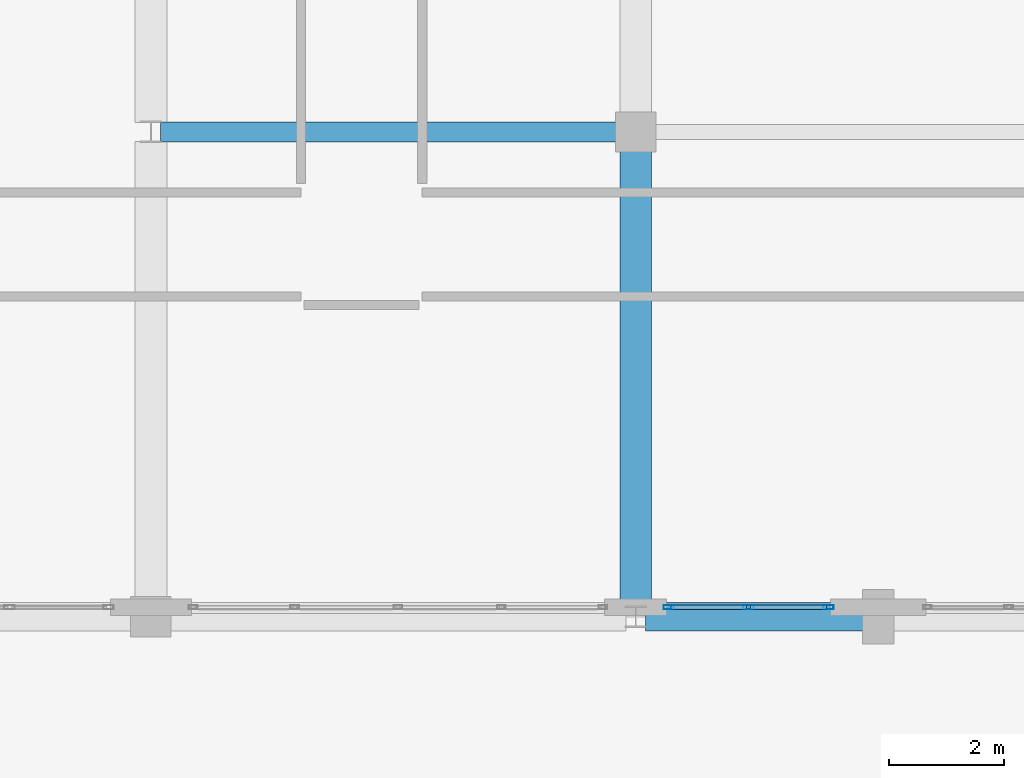
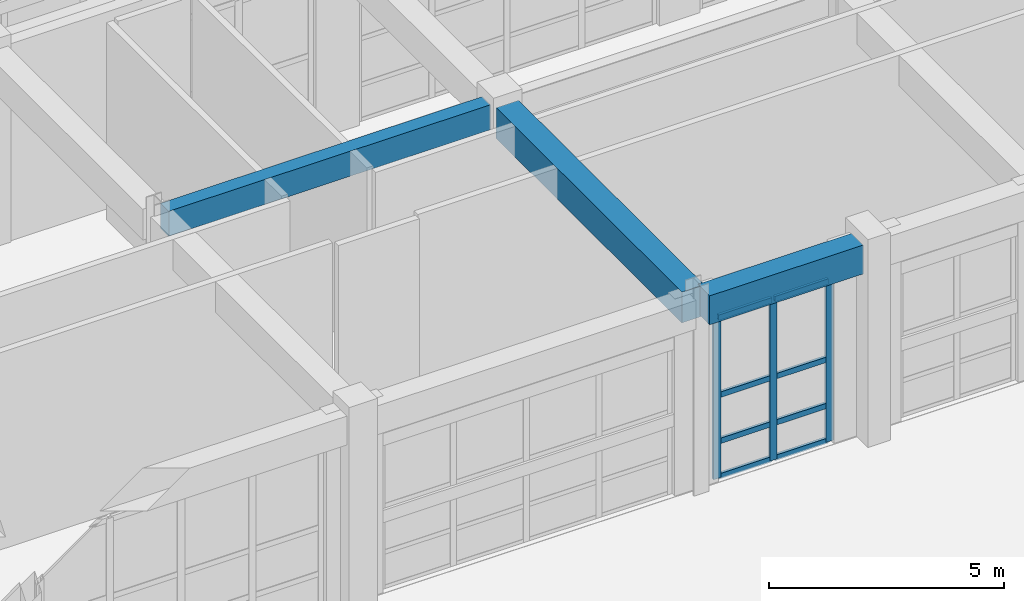
# One storey, part 67 of 148: 11 members, 3 beams, 1 element without a shape of its own.
"""IFC4 building model written with IfcOpenShell, lengths in metres."""

from ifc_helpers import new_model, si_unit, direction, frame, origin, origin_2d, place, context, subcontext, project, spatial, rectangle, hollow_rectangle, extrude, material, layer, layer_set, material_profile, profile_set, type_object, element, aggregate, save


model = new_model("IFC4")

# Units and contexts
model_context = context("Model", 3, precision=1e-05, world=origin(), true_north=direction((0.0, 1.0)))
body_context = subcontext(model_context, "Body", "Model", "MODEL_VIEW")
ifc_project = project(units=[si_unit("LENGTHUNIT", "METRE"), si_unit("AREAUNIT", "SQUARE_METRE"), si_unit("VOLUMEUNIT", "CUBIC_METRE"), si_unit("PLANEANGLEUNIT", "RADIAN"), si_unit("MASSUNIT", "GRAM", prefix="KILO")], contexts=[model_context])

# Site, building, storey
site_placement = place(None, origin())
site = spatial("IfcSite", under=ifc_project, at=site_placement, CompositionType="ELEMENT")
building_placement = place(site_placement, origin())
building = spatial("IfcBuilding", under=site, at=building_placement, Name="Quendrovan Civic Courthouse", CompositionType="ELEMENT")
storey_placement = place(building_placement, origin())
storey = spatial("IfcBuildingStorey", under=building, at=storey_placement, Name="L01", CompositionType="ELEMENT", Elevation=0.0)

# Beams
ifc_material_1 = material(Name="Concrete C40/50", Category="concrete")
ifc_material_profile_1 = material_profile(ifc_material_1, rectangle(XDim=0.35009765625, YDim=0.64990234375, at=origin_2d()), Name="RC-BM-350x650")
ifc_profile_set_1 = profile_set([ifc_material_profile_1], Name="Concrete C40/50")
beam_type_1 = type_object("IfcBeamType", Name="BM-RC650B", PredefinedType="BEAM", material=ifc_profile_set_1)
beam_1_placement = place(storey_placement, frame((84.1669921875, 73.199951171875, 4.794921875), z_axis=(1.0, 0.0, 0.0), x_axis=(0.0, 1.0, 0.0)))
element("IfcBeam", 1, at=beam_1_placement, inside=storey, type_object=beam_type_1, Name="L01 Girder X0305", PredefinedType="BEAM", context=body_context, shape_type="SweptSolid", body=[
    extrude(rectangle(XDim=0.35009765625, YDim=0.64990234375, at=origin_2d()), origin(), (0.0, 0.0, 1.0), 7.903076171875),
])
ifc_material_profile_2 = material_profile(ifc_material_1, rectangle(XDim=0.5, YDim=0.75, at=origin_2d()), Name="RC-BM-500x750")
ifc_profile_set_2 = profile_set([ifc_material_profile_2], Name="Concrete C40/50")
beam_type_2 = type_object("IfcBeamType", Name="BM-RC750", PredefinedType="SPANDREL", material=ifc_profile_set_2)
beam_2_placement = place(storey_placement, frame((92.56689453125, 64.800048828125, 4.7451171875), z_axis=(1.0, 0.0, 0.0), x_axis=(0.0, 1.0, 0.0)))
element("IfcBeam", 2, at=beam_2_placement, inside=storey, type_object=beam_type_2, Name="L01 Girder X0296", PredefinedType="SPANDREL", context=body_context, shape_type="SweptSolid", body=[
    extrude(rectangle(XDim=0.5, YDim=0.75, at=origin_2d()), origin(), (0.0, 0.0, 1.0), 3.778076171875),
])
ifc_material_profile_3 = material_profile(ifc_material_1, rectangle(XDim=0.550048828125, YDim=0.800048828125, at=origin_2d()), Name="RC-BM-550x800")
ifc_profile_set_3 = profile_set([ifc_material_profile_3], Name="Concrete C40/50")
beam_type_3 = type_object("IfcBeamType", Name="BM-RC800", PredefinedType="BEAM", material=ifc_profile_set_3)
beam_3_placement = place(storey_placement, frame((92.39990234375, 64.966064453125, 4.719970703125), z_axis=(0.0, 1.0, 0.0), x_axis=(-1.0, 0.0, 0.0)))
element("IfcBeam", 3, at=beam_3_placement, inside=storey, type_object=beam_type_3, Name="L01 Girder Y0443", PredefinedType="BEAM", context=body_context, shape_type="SweptSolid", body=[
    extrude(rectangle(XDim=0.550048828125, YDim=0.800048828125, at=origin_2d()), origin(), (0.0, 0.0, 1.0), 7.904052734375),
])

# Curtain wall, members
ifc_material_2 = material(Name="Bronze anodised aluminium and low-E glass", Category="aluminium")
ifc_layer = layer(ifc_material_2, 0.179931640625, Name="Bronze anodised aluminium and low-E glass")
ifc_layer_set = layer_set([ifc_layer], Name="Bronze anodised aluminium and low-E glass")
curtain_wall_type = type_object("IfcCurtainWallType", Name="CW-U28x42", PredefinedType="USERDEFINED", material=ifc_layer_set)
curtain_wall_placement = place(storey_placement, origin())
curtain_wall = element("IfcCurtainWall", 4, at=curtain_wall_placement, inside=storey, type_object=curtain_wall_type, Name="L01 Unitised Hurricane Curtain Wall CW-058", ObjectType="UNITISED CURTAIN WALL", PredefinedType="USERDEFINED")
ifc_material_3 = material(Name="Bronze anodised aluminium", Category="aluminium")
ifc_material_profile_4 = material_profile(ifc_material_3, hollow_rectangle(XDim=0.070068359375, YDim=0.179931640625, WallThickness=0.00390625, at=origin_2d()), Name="CW-MULL-70x180")
ifc_profile_set_4 = profile_set([ifc_material_profile_4], Name="Bronze anodised aluminium")
member_type_1 = type_object("IfcMemberType", Name="CW-MULL-A", PredefinedType="MULLION", material=ifc_profile_set_4)
member_1_placement = place(storey_placement, frame((95.739990234375, 64.965087890625, 0.0), z_axis=(0.0, 0.0, 1.0), x_axis=(0.0, -1.0, 0.0)))
member_1 = element("IfcMember", 5, at=member_1_placement, type_object=member_type_1, Name="CW-058 mullion 1", PredefinedType="MULLION", context=body_context, shape_type="SweptSolid", body=[
    extrude(hollow_rectangle(XDim=0.070068359375, YDim=0.179931640625, WallThickness=0.00390625, at=origin_2d()), origin(), (0.0, 0.0, 1.0), 4.199951171875),
])
member_2_placement = place(storey_placement, frame((94.35595703125, 64.965087890625, 0.0), z_axis=(0.0, 0.0, 1.0), x_axis=(0.0, -1.0, 0.0)))
member_2 = element("IfcMember", 6, at=member_2_placement, type_object=member_type_1, Name="CW-058 mullion 2", PredefinedType="MULLION", context=body_context, shape_type="SweptSolid", body=[
    extrude(hollow_rectangle(XDim=0.070068359375, YDim=0.179931640625, WallThickness=0.00390625, at=origin_2d()), origin(), (0.0, 0.0, 1.0), 4.199951171875),
])
member_3_placement = place(storey_placement, frame((92.971923828125, 64.965087890625, 0.0), z_axis=(0.0, 0.0, 1.0), x_axis=(0.0, -1.0, 0.0)))
member_3 = element("IfcMember", 7, at=member_3_placement, type_object=member_type_1, Name="CW-058 mullion 3", PredefinedType="MULLION", context=body_context, shape_type="SweptSolid", body=[
    extrude(hollow_rectangle(XDim=0.070068359375, YDim=0.179931640625, WallThickness=0.00390625, at=origin_2d()), origin(), (0.0, 0.0, 1.0), 4.199951171875),
])
ifc_material_profile_5 = material_profile(ifc_material_3, hollow_rectangle(XDim=0.070068359375, YDim=0.139892578125, WallThickness=0.00390625, at=origin_2d()), Name="CW-TRAN-70x140")
ifc_profile_set_5 = profile_set([ifc_material_profile_5], Name="Bronze anodised aluminium")
member_type_2 = type_object("IfcMemberType", Name="CW-TRAN-A", PredefinedType="USERDEFINED", material=ifc_profile_set_5)
member_4_placement = place(storey_placement, frame((95.705078125, 64.965087890625, 0.034912109375), z_axis=(-1.0, 0.0, 0.0), x_axis=(0.0, -1.0, 0.0)))
member_4 = element("IfcMember", 8, at=member_4_placement, type_object=member_type_2, Name="CW-058 transom 1.1", ObjectType="TRANSOM", PredefinedType="USERDEFINED", context=body_context, shape_type="SweptSolid", body=[
    extrude(hollow_rectangle(XDim=0.070068359375, YDim=0.139892578125, WallThickness=0.00390625, at=origin_2d()), origin(), (0.0, 0.0, 1.0), 1.31396484375),
])
member_5_placement = place(storey_placement, frame((95.705078125, 64.965087890625, 0.949951171875), z_axis=(-1.0, 0.0, 0.0), x_axis=(0.0, -1.0, 0.0)))
member_5 = element("IfcMember", 9, at=member_5_placement, type_object=member_type_2, Name="CW-058 transom 1.2", ObjectType="TRANSOM", PredefinedType="USERDEFINED", context=body_context, shape_type="SweptSolid", body=[
    extrude(hollow_rectangle(XDim=0.070068359375, YDim=0.139892578125, WallThickness=0.00390625, at=origin_2d()), origin(), (0.0, 0.0, 1.0), 1.31396484375),
])
member_6_placement = place(storey_placement, frame((95.705078125, 64.965087890625, 2.14990234375), z_axis=(-1.0, 0.0, 0.0), x_axis=(0.0, -1.0, 0.0)))
member_6 = element("IfcMember", 10, at=member_6_placement, type_object=member_type_2, Name="CW-058 transom 1.3", ObjectType="TRANSOM", PredefinedType="USERDEFINED", context=body_context, shape_type="SweptSolid", body=[
    extrude(hollow_rectangle(XDim=0.070068359375, YDim=0.139892578125, WallThickness=0.00390625, at=origin_2d()), origin(), (0.0, 0.0, 1.0), 1.31396484375),
])
member_7_placement = place(storey_placement, frame((95.705078125, 64.965087890625, 4.1650390625), z_axis=(-1.0, 0.0, 0.0), x_axis=(0.0, -1.0, 0.0)))
member_7 = element("IfcMember", 11, at=member_7_placement, type_object=member_type_2, Name="CW-058 transom 1.4", ObjectType="TRANSOM", PredefinedType="USERDEFINED", context=body_context, shape_type="SweptSolid", body=[
    extrude(hollow_rectangle(XDim=0.070068359375, YDim=0.139892578125, WallThickness=0.00390625, at=origin_2d()), origin(), (0.0, 0.0, 1.0), 1.31396484375),
])
member_8_placement = place(storey_placement, frame((94.321044921875, 64.965087890625, 0.034912109375), z_axis=(-1.0, 0.0, 0.0), x_axis=(0.0, -1.0, 0.0)))
member_8 = element("IfcMember", 12, at=member_8_placement, type_object=member_type_2, Name="CW-058 transom 2.1", ObjectType="TRANSOM", PredefinedType="USERDEFINED", context=body_context, shape_type="SweptSolid", body=[
    extrude(hollow_rectangle(XDim=0.070068359375, YDim=0.139892578125, WallThickness=0.00390625, at=origin_2d()), origin(), (0.0, 0.0, 1.0), 1.31396484375),
])
member_9_placement = place(storey_placement, frame((94.321044921875, 64.965087890625, 0.949951171875), z_axis=(-1.0, 0.0, 0.0), x_axis=(0.0, -1.0, 0.0)))
member_9 = element("IfcMember", 13, at=member_9_placement, type_object=member_type_2, Name="CW-058 transom 2.2", ObjectType="TRANSOM", PredefinedType="USERDEFINED", context=body_context, shape_type="SweptSolid", body=[
    extrude(hollow_rectangle(XDim=0.070068359375, YDim=0.139892578125, WallThickness=0.00390625, at=origin_2d()), origin(), (0.0, 0.0, 1.0), 1.31396484375),
])
member_10_placement = place(storey_placement, frame((94.321044921875, 64.965087890625, 2.14990234375), z_axis=(-1.0, 0.0, 0.0), x_axis=(0.0, -1.0, 0.0)))
member_10 = element("IfcMember", 14, at=member_10_placement, type_object=member_type_2, Name="CW-058 transom 2.3", ObjectType="TRANSOM", PredefinedType="USERDEFINED", context=body_context, shape_type="SweptSolid", body=[
    extrude(hollow_rectangle(XDim=0.070068359375, YDim=0.139892578125, WallThickness=0.00390625, at=origin_2d()), origin(), (0.0, 0.0, 1.0), 1.31396484375),
])
member_11_placement = place(storey_placement, frame((94.321044921875, 64.965087890625, 4.1650390625), z_axis=(-1.0, 0.0, 0.0), x_axis=(0.0, -1.0, 0.0)))
member_11 = element("IfcMember", 15, at=member_11_placement, type_object=member_type_2, Name="CW-058 transom 2.4", ObjectType="TRANSOM", PredefinedType="USERDEFINED", context=body_context, shape_type="SweptSolid", body=[
    extrude(hollow_rectangle(XDim=0.070068359375, YDim=0.139892578125, WallThickness=0.00390625, at=origin_2d()), origin(), (0.0, 0.0, 1.0), 1.31396484375),
])
aggregate(curtain_wall, [member_1, member_2, member_3, member_4, member_5, member_6, member_7, member_8, member_9, member_10, member_11])

save(model, "model.ifc")
